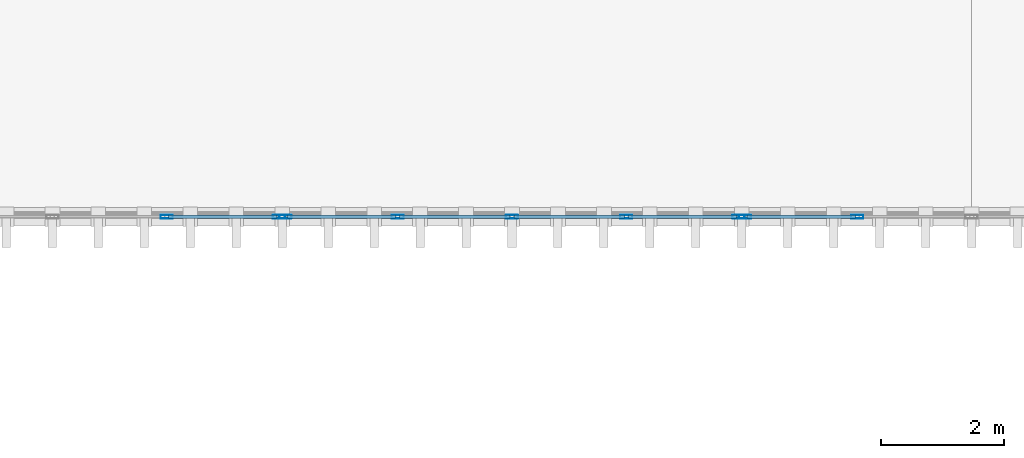
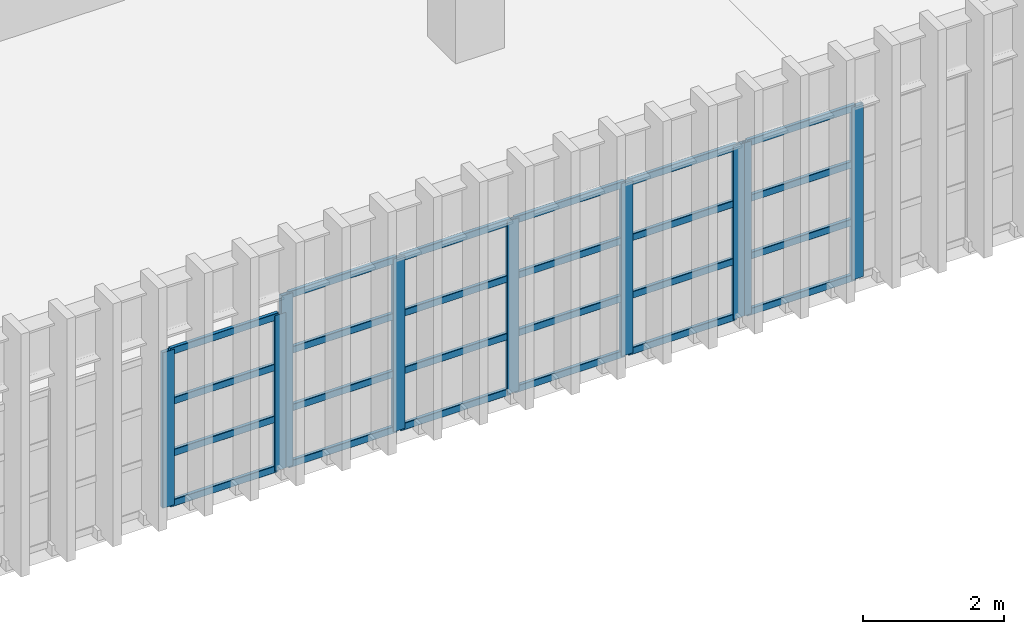
# One storey, part 29 of 124: 33 members, 3 elements without a shape of their own.
"""IFC4 building model written with IfcOpenShell, lengths in metres."""

from ifc_helpers import new_model, si_unit, direction, frame, origin, origin_2d, place, context, subcontext, project, spatial, hollow_rectangle, extrude, material, material_profile, profile_set, type_object, element, aggregate, save


model = new_model("IFC4")

# Units and contexts
model_context = context("Model", 3, precision=1e-05, world=origin(), true_north=direction((0.0, 1.0)))
body_context = subcontext(model_context, "Body", "Model", "MODEL_VIEW")
ifc_project = project(units=[si_unit("LENGTHUNIT", "METRE"), si_unit("AREAUNIT", "SQUARE_METRE"), si_unit("VOLUMEUNIT", "CUBIC_METRE"), si_unit("PLANEANGLEUNIT", "RADIAN"), si_unit("MASSUNIT", "GRAM", prefix="KILO")], contexts=[model_context])

# Site, building, storey
site_placement = place(None, origin())
site = spatial("IfcSite", under=ifc_project, at=site_placement, CompositionType="ELEMENT")
building_placement = place(site_placement, origin())
building = spatial("IfcBuilding", under=site, at=building_placement, Name="Qasida Concert Hall", CompositionType="ELEMENT")
storey_placement = place(building_placement, frame((0.0, 0.0, 9.0)))
storey = spatial("IfcBuildingStorey", under=building, at=storey_placement, Name="L02", CompositionType="ELEMENT", Elevation=9.0)

# Curtain wall, members
ifc_material_1 = material(Name="Architectural bronze-anodized aluminium and low-E glass", Category="aluminium")
curtain_wall_type = type_object("IfcCurtainWallType", Name="CW-03", PredefinedType="NOTDEFINED", material=ifc_material_1)
curtain_wall_1_placement = place(storey_placement, origin())
curtain_wall_1 = element("IfcCurtainWall", 1, at=curtain_wall_1_placement, inside=storey, type_object=curtain_wall_type, Name="L02 curtain wall CW-03 0009", PredefinedType="NOTDEFINED")
ifc_material_2 = material(Name="Architectural bronze-anodized aluminium EN AW-6063", Category="aluminium")
ifc_material_profile_1 = material_profile(ifc_material_2, hollow_rectangle(XDim=0.06494140625, YDim=0.199951171875, WallThickness=0.0048828125, InnerFilletRadius=0.0048828125, OuterFilletRadius=0.010009765625, at=origin_2d()), Name="CWM 200x65x5")
ifc_profile_set_1 = profile_set([ifc_material_profile_1], Name="Architectural bronze-anodized aluminium EN AW-6063")
member_type_1 = type_object("IfcMemberType", Name="MB-CWM-2", PredefinedType="MULLION", material=ifc_profile_set_1)
member_1_placement = place(storey_placement, frame((65.614990234375, 14.699951171875, 0.0), z_axis=(0.0, 0.0, 1.0), x_axis=(0.0, 1.0, 0.0)))
member_1 = element("IfcMember", 2, at=member_1_placement, type_object=member_type_1, Name="CW-03 mullion 4", PredefinedType="MULLION", context=body_context, shape_type="SweptSolid", body=[
    extrude(hollow_rectangle(XDim=0.06494140625, YDim=0.199951171875, WallThickness=0.0048828125, InnerFilletRadius=0.0048828125, OuterFilletRadius=0.010009765625, at=origin_2d()), origin(), (0.0, 0.0, 1.0), 2.68994140625),
])
member_2_placement = place(storey_placement, frame((67.447509765625, 14.699951171875, 0.0), z_axis=(0.0, 0.0, 1.0), x_axis=(0.0, 1.0, 0.0)))
member_2 = element("IfcMember", 3, at=member_2_placement, type_object=member_type_1, Name="CW-03 mullion 5", PredefinedType="MULLION", context=body_context, shape_type="SweptSolid", body=[
    extrude(hollow_rectangle(XDim=0.06494140625, YDim=0.199951171875, WallThickness=0.0048828125, InnerFilletRadius=0.0048828125, OuterFilletRadius=0.010009765625, at=origin_2d()), origin(), (0.0, 0.0, 1.0), 2.68994140625),
])

curtain_wall_2_placement = place(storey_placement, origin())
curtain_wall_2 = element("IfcCurtainWall", 4, at=curtain_wall_2_placement, inside=storey, type_object=curtain_wall_type, Name="L02 curtain wall CW-03 0010", PredefinedType="NOTDEFINED")
member_3_placement = place(storey_placement, frame((67.552490234375, 14.699951171875, 0.0), z_axis=(0.0, 0.0, 1.0), x_axis=(0.0, 1.0, 0.0)))
member_3 = element("IfcMember", 5, at=member_3_placement, type_object=member_type_1, Name="CW-03 mullion 1", PredefinedType="MULLION", context=body_context, shape_type="SweptSolid", body=[
    extrude(hollow_rectangle(XDim=0.06494140625, YDim=0.199951171875, WallThickness=0.0048828125, InnerFilletRadius=0.0048828125, OuterFilletRadius=0.010009765625, at=origin_2d()), origin(), (0.0, 0.0, 1.0), 2.989990234375),
])
member_4_placement = place(storey_placement, frame((69.385009765625, 14.699951171875, 0.0), z_axis=(0.0, 0.0, 1.0), x_axis=(0.0, 1.0, 0.0)))
member_4 = element("IfcMember", 6, at=member_4_placement, type_object=member_type_1, Name="CW-03 mullion 2", PredefinedType="MULLION", context=body_context, shape_type="SweptSolid", body=[
    extrude(hollow_rectangle(XDim=0.06494140625, YDim=0.199951171875, WallThickness=0.0048828125, InnerFilletRadius=0.0048828125, OuterFilletRadius=0.010009765625, at=origin_2d()), origin(), (0.0, 0.0, 1.0), 2.989990234375),
])
member_5_placement = place(storey_placement, frame((71.25, 14.699951171875, 0.0), z_axis=(0.0, 0.0, 1.0), x_axis=(0.0, 1.0, 0.0)))
member_5 = element("IfcMember", 7, at=member_5_placement, type_object=member_type_1, Name="CW-03 mullion 3", PredefinedType="MULLION", context=body_context, shape_type="SweptSolid", body=[
    extrude(hollow_rectangle(XDim=0.06494140625, YDim=0.199951171875, WallThickness=0.0048828125, InnerFilletRadius=0.0048828125, OuterFilletRadius=0.010009765625, at=origin_2d()), origin(), (0.0, 0.0, 1.0), 2.989990234375),
])
member_6_placement = place(storey_placement, frame((73.114990234375, 14.699951171875, 0.0), z_axis=(0.0, 0.0, 1.0), x_axis=(0.0, 1.0, 0.0)))
member_6 = element("IfcMember", 8, at=member_6_placement, type_object=member_type_1, Name="CW-03 mullion 4", PredefinedType="MULLION", context=body_context, shape_type="SweptSolid", body=[
    extrude(hollow_rectangle(XDim=0.06494140625, YDim=0.199951171875, WallThickness=0.0048828125, InnerFilletRadius=0.0048828125, OuterFilletRadius=0.010009765625, at=origin_2d()), origin(), (0.0, 0.0, 1.0), 2.989990234375),
])
member_7_placement = place(storey_placement, frame((74.947509765625, 14.699951171875, 0.0), z_axis=(0.0, 0.0, 1.0), x_axis=(0.0, 1.0, 0.0)))
member_7 = element("IfcMember", 9, at=member_7_placement, type_object=member_type_1, Name="CW-03 mullion 5", PredefinedType="MULLION", context=body_context, shape_type="SweptSolid", body=[
    extrude(hollow_rectangle(XDim=0.06494140625, YDim=0.199951171875, WallThickness=0.0048828125, InnerFilletRadius=0.0048828125, OuterFilletRadius=0.010009765625, at=origin_2d()), origin(), (0.0, 0.0, 1.0), 2.989990234375),
])

curtain_wall_3_placement = place(storey_placement, origin())
curtain_wall_3 = element("IfcCurtainWall", 10, at=curtain_wall_3_placement, inside=storey, type_object=curtain_wall_type, Name="L02 curtain wall CW-03 0011", PredefinedType="NOTDEFINED")
member_8_placement = place(storey_placement, frame((75.052490234375, 14.699951171875, 0.0), z_axis=(0.0, 0.0, 1.0), x_axis=(0.0, 1.0, 0.0)))
member_8 = element("IfcMember", 11, at=member_8_placement, type_object=member_type_1, Name="CW-03 mullion 1", PredefinedType="MULLION", context=body_context, shape_type="SweptSolid", body=[
    extrude(hollow_rectangle(XDim=0.06494140625, YDim=0.199951171875, WallThickness=0.0048828125, InnerFilletRadius=0.0048828125, OuterFilletRadius=0.010009765625, at=origin_2d()), origin(), (0.0, 0.0, 1.0), 2.989990234375),
])
member_9_placement = place(storey_placement, frame((76.885009765625, 14.699951171875, 0.0), z_axis=(0.0, 0.0, 1.0), x_axis=(0.0, 1.0, 0.0)))
member_9 = element("IfcMember", 12, at=member_9_placement, type_object=member_type_1, Name="CW-03 mullion 2", PredefinedType="MULLION", context=body_context, shape_type="SweptSolid", body=[
    extrude(hollow_rectangle(XDim=0.06494140625, YDim=0.199951171875, WallThickness=0.0048828125, InnerFilletRadius=0.0048828125, OuterFilletRadius=0.010009765625, at=origin_2d()), origin(), (0.0, 0.0, 1.0), 2.989990234375),
])

# Member
ifc_material_profile_2 = material_profile(ifc_material_2, hollow_rectangle(XDim=0.06005859375, YDim=0.1201171875, WallThickness=0.00390625, InnerFilletRadius=0.00390625, OuterFilletRadius=0.008056640625, at=origin_2d()), Name="CWT 120x60x4")
ifc_profile_set_2 = profile_set([ifc_material_profile_2], Name="Architectural bronze-anodized aluminium EN AW-6063")
member_type_2 = type_object("IfcMemberType", Name="MB-CWT-2", PredefinedType="USERDEFINED", material=ifc_profile_set_2)
member_10_placement = place(storey_placement, frame((65.6474609375, 14.699951171875, 0.030029296875), z_axis=(1.0, 0.0, 0.0), x_axis=(0.0, 1.0, 0.0)))
member_10 = element("IfcMember", 13, at=member_10_placement, type_object=member_type_2, Name="CW-03 transom 4.1", ObjectType="TRANSOM", PredefinedType="USERDEFINED", context=body_context, shape_type="SweptSolid", body=[
    extrude(hollow_rectangle(XDim=0.06005859375, YDim=0.1201171875, WallThickness=0.00390625, InnerFilletRadius=0.00390625, OuterFilletRadius=0.008056640625, at=origin_2d()), origin(), (0.0, 0.0, 1.0), 1.767578125),
])

member_11_placement = place(storey_placement, frame((65.6474609375, 14.699951171875, 0.896728515625), z_axis=(1.0, 0.0, 0.0), x_axis=(0.0, 1.0, 0.0)))
member_11 = element("IfcMember", 14, at=member_11_placement, type_object=member_type_2, Name="CW-03 transom 4.2", ObjectType="TRANSOM", PredefinedType="USERDEFINED", context=body_context, shape_type="SweptSolid", body=[
    extrude(hollow_rectangle(XDim=0.06005859375, YDim=0.1201171875, WallThickness=0.00390625, InnerFilletRadius=0.00390625, OuterFilletRadius=0.008056640625, at=origin_2d()), origin(), (0.0, 0.0, 1.0), 1.767578125),
])

member_12_placement = place(storey_placement, frame((65.6474609375, 14.699951171875, 1.793212890625), z_axis=(1.0, 0.0, 0.0), x_axis=(0.0, 1.0, 0.0)))
member_12 = element("IfcMember", 15, at=member_12_placement, type_object=member_type_2, Name="CW-03 transom 4.3", ObjectType="TRANSOM", PredefinedType="USERDEFINED", context=body_context, shape_type="SweptSolid", body=[
    extrude(hollow_rectangle(XDim=0.06005859375, YDim=0.1201171875, WallThickness=0.00390625, InnerFilletRadius=0.00390625, OuterFilletRadius=0.008056640625, at=origin_2d()), origin(), (0.0, 0.0, 1.0), 1.767578125),
])

member_13_placement = place(storey_placement, frame((65.6474609375, 14.699951171875, 2.659912109375), z_axis=(1.0, 0.0, 0.0), x_axis=(0.0, 1.0, 0.0)))
member_13 = element("IfcMember", 16, at=member_13_placement, type_object=member_type_2, Name="CW-03 transom 4.4", ObjectType="TRANSOM", PredefinedType="USERDEFINED", context=body_context, shape_type="SweptSolid", body=[
    extrude(hollow_rectangle(XDim=0.06005859375, YDim=0.1201171875, WallThickness=0.00390625, InnerFilletRadius=0.00390625, OuterFilletRadius=0.008056640625, at=origin_2d()), origin(), (0.0, 0.0, 1.0), 1.767578125),
])

aggregate(curtain_wall_1, [member_1, member_2, member_10, member_11, member_12, member_13])

member_14_placement = place(storey_placement, frame((67.5849609375, 14.699951171875, 0.030029296875), z_axis=(1.0, 0.0, 0.0), x_axis=(0.0, 1.0, 0.0)))
member_14 = element("IfcMember", 17, at=member_14_placement, type_object=member_type_2, Name="CW-03 transom 1.1", ObjectType="TRANSOM", PredefinedType="USERDEFINED", context=body_context, shape_type="SweptSolid", body=[
    extrude(hollow_rectangle(XDim=0.06005859375, YDim=0.1201171875, WallThickness=0.00390625, InnerFilletRadius=0.00390625, OuterFilletRadius=0.008056640625, at=origin_2d()), origin(), (0.0, 0.0, 1.0), 1.767578125),
])

member_15_placement = place(storey_placement, frame((67.5849609375, 14.699951171875, 0.99658203125), z_axis=(1.0, 0.0, 0.0), x_axis=(0.0, 1.0, 0.0)))
member_15 = element("IfcMember", 18, at=member_15_placement, type_object=member_type_2, Name="CW-03 transom 1.2", ObjectType="TRANSOM", PredefinedType="USERDEFINED", context=body_context, shape_type="SweptSolid", body=[
    extrude(hollow_rectangle(XDim=0.06005859375, YDim=0.1201171875, WallThickness=0.00390625, InnerFilletRadius=0.00390625, OuterFilletRadius=0.008056640625, at=origin_2d()), origin(), (0.0, 0.0, 1.0), 1.767578125),
])

member_16_placement = place(storey_placement, frame((67.5849609375, 14.699951171875, 1.993408203125), z_axis=(1.0, 0.0, 0.0), x_axis=(0.0, 1.0, 0.0)))
member_16 = element("IfcMember", 19, at=member_16_placement, type_object=member_type_2, Name="CW-03 transom 1.3", ObjectType="TRANSOM", PredefinedType="USERDEFINED", context=body_context, shape_type="SweptSolid", body=[
    extrude(hollow_rectangle(XDim=0.06005859375, YDim=0.1201171875, WallThickness=0.00390625, InnerFilletRadius=0.00390625, OuterFilletRadius=0.008056640625, at=origin_2d()), origin(), (0.0, 0.0, 1.0), 1.767578125),
])

member_17_placement = place(storey_placement, frame((67.5849609375, 14.699951171875, 2.9599609375), z_axis=(1.0, 0.0, 0.0), x_axis=(0.0, 1.0, 0.0)))
member_17 = element("IfcMember", 20, at=member_17_placement, type_object=member_type_2, Name="CW-03 transom 1.4", ObjectType="TRANSOM", PredefinedType="USERDEFINED", context=body_context, shape_type="SweptSolid", body=[
    extrude(hollow_rectangle(XDim=0.06005859375, YDim=0.1201171875, WallThickness=0.00390625, InnerFilletRadius=0.00390625, OuterFilletRadius=0.008056640625, at=origin_2d()), origin(), (0.0, 0.0, 1.0), 1.767578125),
])

member_18_placement = place(storey_placement, frame((69.41748046875, 14.699951171875, 0.030029296875), z_axis=(1.0, 0.0, 0.0), x_axis=(0.0, 1.0, 0.0)))
member_18 = element("IfcMember", 21, at=member_18_placement, type_object=member_type_2, Name="CW-03 transom 2.1", ObjectType="TRANSOM", PredefinedType="USERDEFINED", context=body_context, shape_type="SweptSolid", body=[
    extrude(hollow_rectangle(XDim=0.06005859375, YDim=0.1201171875, WallThickness=0.00390625, InnerFilletRadius=0.00390625, OuterFilletRadius=0.008056640625, at=origin_2d()), origin(), (0.0, 0.0, 1.0), 1.800048828125),
])

member_19_placement = place(storey_placement, frame((69.41748046875, 14.699951171875, 0.99658203125), z_axis=(1.0, 0.0, 0.0), x_axis=(0.0, 1.0, 0.0)))
member_19 = element("IfcMember", 22, at=member_19_placement, type_object=member_type_2, Name="CW-03 transom 2.2", ObjectType="TRANSOM", PredefinedType="USERDEFINED", context=body_context, shape_type="SweptSolid", body=[
    extrude(hollow_rectangle(XDim=0.06005859375, YDim=0.1201171875, WallThickness=0.00390625, InnerFilletRadius=0.00390625, OuterFilletRadius=0.008056640625, at=origin_2d()), origin(), (0.0, 0.0, 1.0), 1.800048828125),
])

member_20_placement = place(storey_placement, frame((69.41748046875, 14.699951171875, 1.993408203125), z_axis=(1.0, 0.0, 0.0), x_axis=(0.0, 1.0, 0.0)))
member_20 = element("IfcMember", 23, at=member_20_placement, type_object=member_type_2, Name="CW-03 transom 2.3", ObjectType="TRANSOM", PredefinedType="USERDEFINED", context=body_context, shape_type="SweptSolid", body=[
    extrude(hollow_rectangle(XDim=0.06005859375, YDim=0.1201171875, WallThickness=0.00390625, InnerFilletRadius=0.00390625, OuterFilletRadius=0.008056640625, at=origin_2d()), origin(), (0.0, 0.0, 1.0), 1.800048828125),
])

member_21_placement = place(storey_placement, frame((69.41748046875, 14.699951171875, 2.9599609375), z_axis=(1.0, 0.0, 0.0), x_axis=(0.0, 1.0, 0.0)))
member_21 = element("IfcMember", 24, at=member_21_placement, type_object=member_type_2, Name="CW-03 transom 2.4", ObjectType="TRANSOM", PredefinedType="USERDEFINED", context=body_context, shape_type="SweptSolid", body=[
    extrude(hollow_rectangle(XDim=0.06005859375, YDim=0.1201171875, WallThickness=0.00390625, InnerFilletRadius=0.00390625, OuterFilletRadius=0.008056640625, at=origin_2d()), origin(), (0.0, 0.0, 1.0), 1.800048828125),
])

member_22_placement = place(storey_placement, frame((71.282470703125, 14.699951171875, 0.030029296875), z_axis=(1.0, 0.0, 0.0), x_axis=(0.0, 1.0, 0.0)))
member_22 = element("IfcMember", 25, at=member_22_placement, type_object=member_type_2, Name="CW-03 transom 3.1", ObjectType="TRANSOM", PredefinedType="USERDEFINED", context=body_context, shape_type="SweptSolid", body=[
    extrude(hollow_rectangle(XDim=0.06005859375, YDim=0.1201171875, WallThickness=0.00390625, InnerFilletRadius=0.00390625, OuterFilletRadius=0.008056640625, at=origin_2d()), origin(), (0.0, 0.0, 1.0), 1.800048828125),
])

member_23_placement = place(storey_placement, frame((71.282470703125, 14.699951171875, 0.99658203125), z_axis=(1.0, 0.0, 0.0), x_axis=(0.0, 1.0, 0.0)))
member_23 = element("IfcMember", 26, at=member_23_placement, type_object=member_type_2, Name="CW-03 transom 3.2", ObjectType="TRANSOM", PredefinedType="USERDEFINED", context=body_context, shape_type="SweptSolid", body=[
    extrude(hollow_rectangle(XDim=0.06005859375, YDim=0.1201171875, WallThickness=0.00390625, InnerFilletRadius=0.00390625, OuterFilletRadius=0.008056640625, at=origin_2d()), origin(), (0.0, 0.0, 1.0), 1.800048828125),
])

member_24_placement = place(storey_placement, frame((71.282470703125, 14.699951171875, 1.993408203125), z_axis=(1.0, 0.0, 0.0), x_axis=(0.0, 1.0, 0.0)))
member_24 = element("IfcMember", 27, at=member_24_placement, type_object=member_type_2, Name="CW-03 transom 3.3", ObjectType="TRANSOM", PredefinedType="USERDEFINED", context=body_context, shape_type="SweptSolid", body=[
    extrude(hollow_rectangle(XDim=0.06005859375, YDim=0.1201171875, WallThickness=0.00390625, InnerFilletRadius=0.00390625, OuterFilletRadius=0.008056640625, at=origin_2d()), origin(), (0.0, 0.0, 1.0), 1.800048828125),
])

member_25_placement = place(storey_placement, frame((71.282470703125, 14.699951171875, 2.9599609375), z_axis=(1.0, 0.0, 0.0), x_axis=(0.0, 1.0, 0.0)))
member_25 = element("IfcMember", 28, at=member_25_placement, type_object=member_type_2, Name="CW-03 transom 3.4", ObjectType="TRANSOM", PredefinedType="USERDEFINED", context=body_context, shape_type="SweptSolid", body=[
    extrude(hollow_rectangle(XDim=0.06005859375, YDim=0.1201171875, WallThickness=0.00390625, InnerFilletRadius=0.00390625, OuterFilletRadius=0.008056640625, at=origin_2d()), origin(), (0.0, 0.0, 1.0), 1.800048828125),
])

member_26_placement = place(storey_placement, frame((73.1474609375, 14.699951171875, 0.030029296875), z_axis=(1.0, 0.0, 0.0), x_axis=(0.0, 1.0, 0.0)))
member_26 = element("IfcMember", 29, at=member_26_placement, type_object=member_type_2, Name="CW-03 transom 4.1", ObjectType="TRANSOM", PredefinedType="USERDEFINED", context=body_context, shape_type="SweptSolid", body=[
    extrude(hollow_rectangle(XDim=0.06005859375, YDim=0.1201171875, WallThickness=0.00390625, InnerFilletRadius=0.00390625, OuterFilletRadius=0.008056640625, at=origin_2d()), origin(), (0.0, 0.0, 1.0), 1.767578125),
])

member_27_placement = place(storey_placement, frame((73.1474609375, 14.699951171875, 0.99658203125), z_axis=(1.0, 0.0, 0.0), x_axis=(0.0, 1.0, 0.0)))
member_27 = element("IfcMember", 30, at=member_27_placement, type_object=member_type_2, Name="CW-03 transom 4.2", ObjectType="TRANSOM", PredefinedType="USERDEFINED", context=body_context, shape_type="SweptSolid", body=[
    extrude(hollow_rectangle(XDim=0.06005859375, YDim=0.1201171875, WallThickness=0.00390625, InnerFilletRadius=0.00390625, OuterFilletRadius=0.008056640625, at=origin_2d()), origin(), (0.0, 0.0, 1.0), 1.767578125),
])

member_28_placement = place(storey_placement, frame((73.1474609375, 14.699951171875, 1.993408203125), z_axis=(1.0, 0.0, 0.0), x_axis=(0.0, 1.0, 0.0)))
member_28 = element("IfcMember", 31, at=member_28_placement, type_object=member_type_2, Name="CW-03 transom 4.3", ObjectType="TRANSOM", PredefinedType="USERDEFINED", context=body_context, shape_type="SweptSolid", body=[
    extrude(hollow_rectangle(XDim=0.06005859375, YDim=0.1201171875, WallThickness=0.00390625, InnerFilletRadius=0.00390625, OuterFilletRadius=0.008056640625, at=origin_2d()), origin(), (0.0, 0.0, 1.0), 1.767578125),
])

member_29_placement = place(storey_placement, frame((73.1474609375, 14.699951171875, 2.9599609375), z_axis=(1.0, 0.0, 0.0), x_axis=(0.0, 1.0, 0.0)))
member_29 = element("IfcMember", 32, at=member_29_placement, type_object=member_type_2, Name="CW-03 transom 4.4", ObjectType="TRANSOM", PredefinedType="USERDEFINED", context=body_context, shape_type="SweptSolid", body=[
    extrude(hollow_rectangle(XDim=0.06005859375, YDim=0.1201171875, WallThickness=0.00390625, InnerFilletRadius=0.00390625, OuterFilletRadius=0.008056640625, at=origin_2d()), origin(), (0.0, 0.0, 1.0), 1.767578125),
])

aggregate(curtain_wall_2, [member_3, member_4, member_5, member_6, member_7, member_14, member_15, member_16, member_17, member_18, member_19, member_20, member_21, member_22, member_23, member_24, member_25, member_26, member_27, member_28, member_29])

member_30_placement = place(storey_placement, frame((75.0849609375, 14.699951171875, 0.030029296875), z_axis=(1.0, 0.0, 0.0), x_axis=(0.0, 1.0, 0.0)))
member_30 = element("IfcMember", 33, at=member_30_placement, type_object=member_type_2, Name="CW-03 transom 1.1", ObjectType="TRANSOM", PredefinedType="USERDEFINED", context=body_context, shape_type="SweptSolid", body=[
    extrude(hollow_rectangle(XDim=0.06005859375, YDim=0.1201171875, WallThickness=0.00390625, InnerFilletRadius=0.00390625, OuterFilletRadius=0.008056640625, at=origin_2d()), origin(), (0.0, 0.0, 1.0), 1.767578125),
])

member_31_placement = place(storey_placement, frame((75.0849609375, 14.699951171875, 0.99658203125), z_axis=(1.0, 0.0, 0.0), x_axis=(0.0, 1.0, 0.0)))
member_31 = element("IfcMember", 34, at=member_31_placement, type_object=member_type_2, Name="CW-03 transom 1.2", ObjectType="TRANSOM", PredefinedType="USERDEFINED", context=body_context, shape_type="SweptSolid", body=[
    extrude(hollow_rectangle(XDim=0.06005859375, YDim=0.1201171875, WallThickness=0.00390625, InnerFilletRadius=0.00390625, OuterFilletRadius=0.008056640625, at=origin_2d()), origin(), (0.0, 0.0, 1.0), 1.767578125),
])

member_32_placement = place(storey_placement, frame((75.0849609375, 14.699951171875, 1.993408203125), z_axis=(1.0, 0.0, 0.0), x_axis=(0.0, 1.0, 0.0)))
member_32 = element("IfcMember", 35, at=member_32_placement, type_object=member_type_2, Name="CW-03 transom 1.3", ObjectType="TRANSOM", PredefinedType="USERDEFINED", context=body_context, shape_type="SweptSolid", body=[
    extrude(hollow_rectangle(XDim=0.06005859375, YDim=0.1201171875, WallThickness=0.00390625, InnerFilletRadius=0.00390625, OuterFilletRadius=0.008056640625, at=origin_2d()), origin(), (0.0, 0.0, 1.0), 1.767578125),
])

member_33_placement = place(storey_placement, frame((75.0849609375, 14.699951171875, 2.9599609375), z_axis=(1.0, 0.0, 0.0), x_axis=(0.0, 1.0, 0.0)))
member_33 = element("IfcMember", 36, at=member_33_placement, type_object=member_type_2, Name="CW-03 transom 1.4", ObjectType="TRANSOM", PredefinedType="USERDEFINED", context=body_context, shape_type="SweptSolid", body=[
    extrude(hollow_rectangle(XDim=0.06005859375, YDim=0.1201171875, WallThickness=0.00390625, InnerFilletRadius=0.00390625, OuterFilletRadius=0.008056640625, at=origin_2d()), origin(), (0.0, 0.0, 1.0), 1.767578125),
])

aggregate(curtain_wall_3, [member_8, member_9, member_30, member_31, member_32, member_33])

save(model, "model.ifc")
